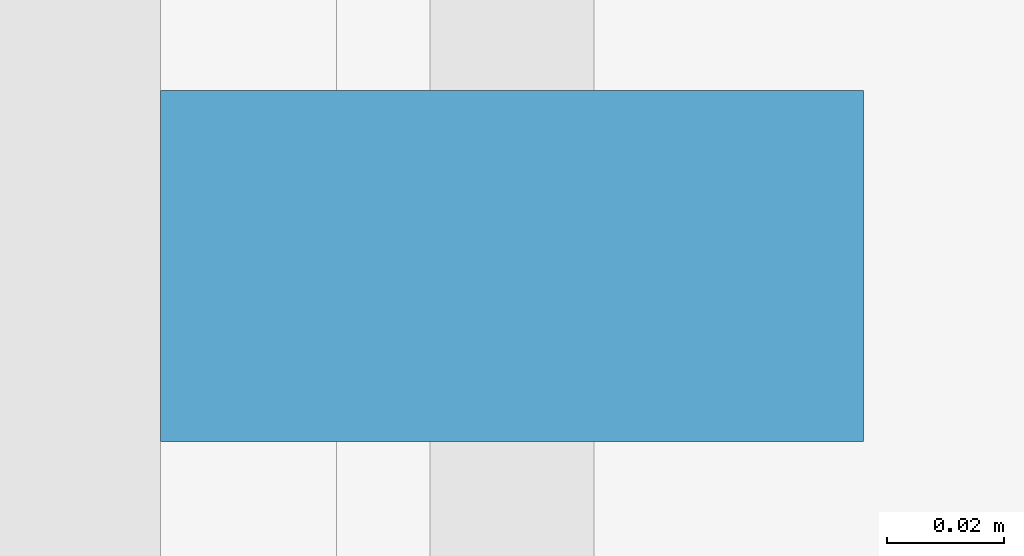
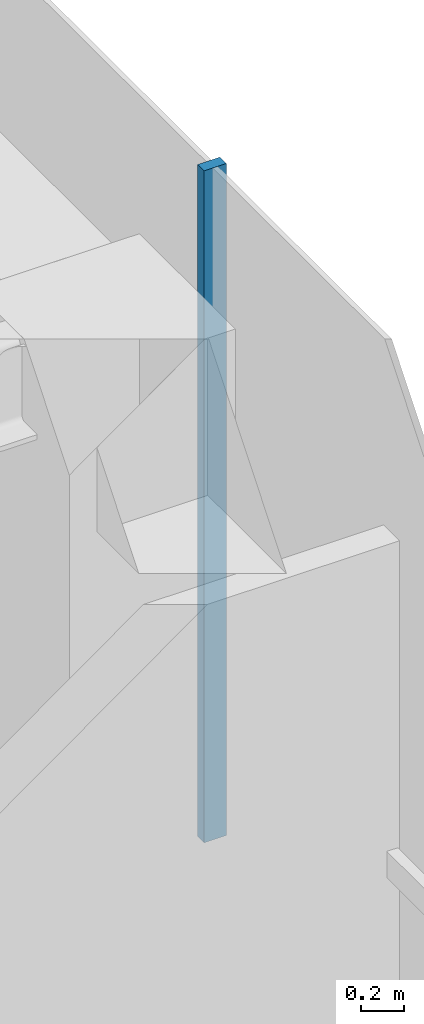
# One storey, part 15 of 25: 1 member, 1 element without a shape of its own.
"""IFC4 building model written with IfcOpenShell, lengths in metres."""

from ifc_helpers import new_model, si_unit, direction, frame, origin, origin_2d, place, context, subcontext, project, spatial, rectangle, extrude, material, layer, layer_set, material_profile, profile_set, type_object, element, aggregate, save


model = new_model("IFC4")

# Units and contexts
model_context = context("Model", 3, precision=1e-05, world=origin(), true_north=direction((0.0, 1.0)))
body_context = subcontext(model_context, "Body", "Model", "MODEL_VIEW")
ifc_project = project(units=[si_unit("LENGTHUNIT", "METRE"), si_unit("AREAUNIT", "SQUARE_METRE"), si_unit("VOLUMEUNIT", "CUBIC_METRE"), si_unit("PLANEANGLEUNIT", "RADIAN"), si_unit("MASSUNIT", "GRAM", prefix="KILO")], contexts=[model_context])

# Site, building, storey
site_placement = place(None, origin())
site = spatial("IfcSite", under=ifc_project, at=site_placement, CompositionType="ELEMENT")
building_placement = place(site_placement, origin())
building = spatial("IfcBuilding", under=site, at=building_placement, Name="Welwitschia Terrace Campus", CompositionType="ELEMENT")
storey_placement = place(building_placement, frame((0.0, 0.0, 92.0)))
storey = spatial("IfcBuildingStorey", under=building, at=storey_placement, Name="L20", CompositionType="ELEMENT", Elevation=92.0)

# Curtain wall, member
ifc_material_1 = material(Name="Bronze anodised aluminium", Category="aluminium")
ifc_layer = layer(ifc_material_1, 0.1201171875)
ifc_layer_set = layer_set([ifc_layer], Name="Bronze anodised aluminium")
curtain_wall_type = type_object("IfcCurtainWallType", Name="Curtain wall CW2 tower 6000", PredefinedType="NOTDEFINED", material=ifc_layer_set)
curtain_wall_placement = place(storey_placement, origin())
curtain_wall = element("IfcCurtainWall", 1, at=curtain_wall_placement, inside=storey, type_object=curtain_wall_type, Name="CW L20.10.0", PredefinedType="NOTDEFINED")
ifc_material_2 = material(Name="Bronze anodised aluminium", Category="aluminium")
ifc_material_profile = material_profile(ifc_material_2, rectangle(XDim=0.1201171875, YDim=0.06005859375, at=origin_2d()))
ifc_profile_set = profile_set([ifc_material_profile], Name="Bronze anodised aluminium")
member_type = type_object("IfcMemberType", Name="Mullion 60x120", PredefinedType="MULLION", material=ifc_profile_set)
member_placement = place(storey_placement, frame((25.030029296875, 52.773681640625, 0.0), z_axis=(0.0, 0.0, 1.0), x_axis=(-1.0, 0.0, 0.0)))
member = element("IfcMember", 2, at=member_placement, type_object=member_type, Name="Mullion L20.10.0.3", PredefinedType="MULLION", context=body_context, shape_type="SweptSolid", body=[
    extrude(rectangle(XDim=0.1201171875, YDim=0.06005859375, at=origin_2d()), origin(), (0.0, 0.0, 1.0), 3.85009765625),
])
aggregate(curtain_wall, [member])

save(model, "model.ifc")
